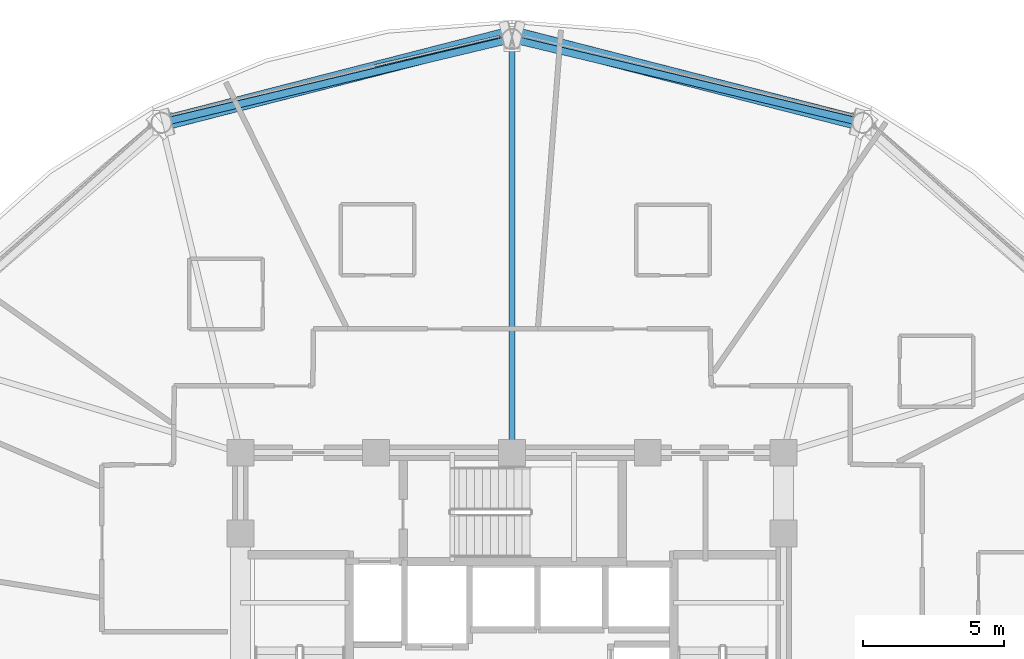
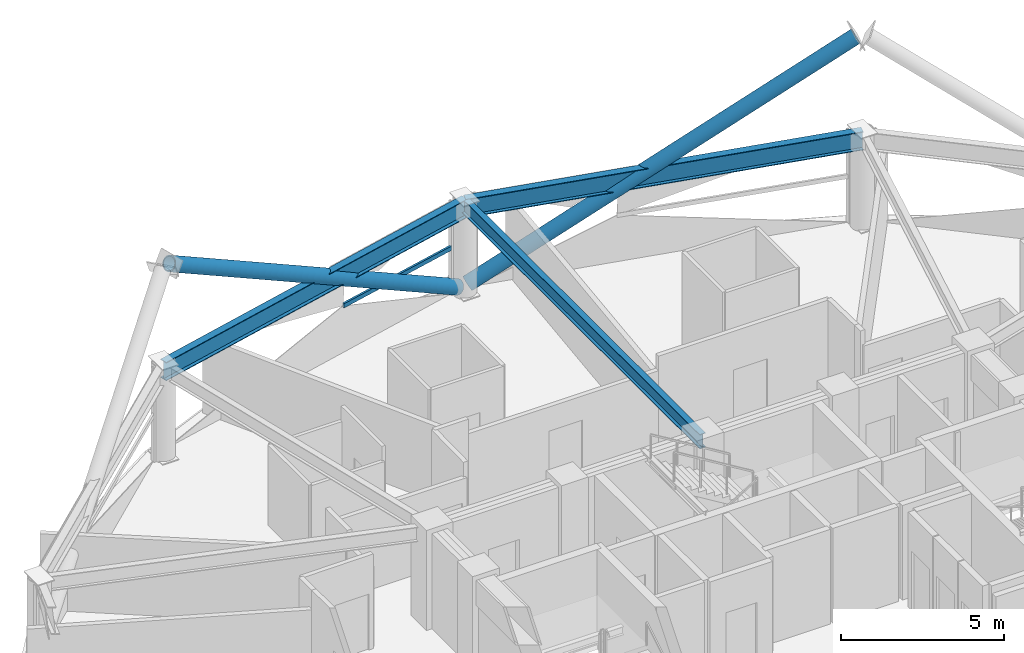
# One storey, part 15 of 29: 3 beams, 3 members, 1 element without a shape of its own.
"""IFC4 building model written with IfcOpenShell, lengths in metres."""

import ifcopenshell
import ifcopenshell.guid

model = None  # the IFC model being written
_history = None  # IfcOwnerHistory: only IFC2X3 demands one
_inside = {}  # id of a spatial element -> (the spatial element, [elements in it])
_under = {}  # id of a project, library or spatial element -> (it, [spatial elements below it])
_declared = {}  # id of a project -> (the project, [libraries it declares])
_typed = {}  # id of a type object -> (the type object, [elements of that type])
_made_of = {}  # id of a material, layer set ... -> (it, [elements and type objects made of it])


def new_model(schema):
    """Start an empty IFC model of exactly this schema.

    Asked for "IFC4X3", IfcOpenShell would pick the latest addendum, in which some entities
    have other attributes; the version numbers below select the first issue.
    IFC2X3 requires an IfcOwnerHistory on every rooted entity: one is made here for all.
    """
    global model, _history
    if schema == "IFC4X3":
        model = ifcopenshell.file(schema_version=(4, 3, 0, 0))
    else:
        model = ifcopenshell.file(schema=schema)
    _inside.clear()
    _under.clear()
    _declared.clear()
    _typed.clear()
    _made_of.clear()
    _history = None
    if model.schema == "IFC2X3":
        org = make("IfcOrganization", Name="unknown")
        user = make(
            "IfcPersonAndOrganization",
            ThePerson=make("IfcPerson", FamilyName="unknown"),
            TheOrganization=org,
        )
        app = make(
            "IfcApplication",
            ApplicationDeveloper=org,
            Version="unknown",
            ApplicationFullName="unknown",
            ApplicationIdentifier="unknown",
        )
        _history = make(
            "IfcOwnerHistory",
            OwningUser=user,
            OwningApplication=app,
            ChangeAction="ADDED",
            CreationDate=0,
        )
    return model


def make(cls, **values):
    """One entity of the class cls with the attributes given. An attribute that is None is left unset."""
    return model.create_entity(
        cls, **{name: value for name, value in values.items() if value is not None}
    )


def rooted(cls, **values):
    """An entity with a GlobalId (a new one), such as an element, a storey or a relation."""
    return make(cls, GlobalId=ifcopenshell.guid.new(), OwnerHistory=_history, **values)


def si_unit(unit_type, name, prefix=None):
    """IfcSIUnit, for example si_unit("LENGTHUNIT", "METRE", prefix="MILLI")."""
    return make("IfcSIUnit", UnitType=unit_type, Prefix=prefix, Name=name)


def assignment(units):
    """IfcUnitAssignment: the units of a project."""
    return None if units is None else make("IfcUnitAssignment", Units=units)


def point(xyz):
    """IfcCartesianPoint."""
    return None if xyz is None else make("IfcCartesianPoint", Coordinates=xyz)


def direction(xyz):
    """IfcDirection."""
    return None if xyz is None else make("IfcDirection", DirectionRatios=xyz)


def frame(location, z_axis=None, x_axis=None):
    """IfcAxis2Placement3D, a coordinate frame: its origin and axes. An axis left out is left unset."""
    return make(
        "IfcAxis2Placement3D",
        Location=point(location),
        Axis=direction(z_axis),
        RefDirection=direction(x_axis),
    )


def frame_2d(location, x_axis=None):
    """IfcAxis2Placement2D, a coordinate frame in the plane: its origin and x axis."""
    return make(
        "IfcAxis2Placement2D", Location=point(location), RefDirection=direction(x_axis)
    )


def origin():
    """The frame at (0, 0, 0) with its axes left unset."""
    return frame((0.0, 0.0, 0.0))


def origin_2d():
    """The frame at (0, 0) in the plane with its x axis left unset."""
    return frame_2d((0.0, 0.0))


def place(relative_to, where):
    """IfcLocalPlacement: puts the frame where relative to a parent placement (None: the world)."""
    return make(
        "IfcLocalPlacement", PlacementRelTo=relative_to, RelativePlacement=where
    )


def context(
    kind, dimensions, precision=None, world=None, true_north=None, identifier=None
):
    """IfcGeometricRepresentationContext, for example the 3D "Model" context."""
    return make(
        "IfcGeometricRepresentationContext",
        ContextIdentifier=identifier,
        ContextType=kind,
        CoordinateSpaceDimension=dimensions,
        Precision=precision,
        WorldCoordinateSystem=world,
        TrueNorth=true_north,
    )


def subcontext(parent, identifier, kind, view, scale=None):
    """IfcGeometricRepresentationSubContext, for example "Body" below "Model"."""
    return make(
        "IfcGeometricRepresentationSubContext",
        ContextIdentifier=identifier,
        ContextType=kind,
        ParentContext=parent,
        TargetScale=scale,
        TargetView=view,
    )


def project(units=None, contexts=None):
    """IfcProject with its units and contexts."""
    return rooted(
        "IfcProject",
        Name="project",
        RepresentationContexts=contexts,
        UnitsInContext=assignment(units),
    )


def spatial(cls, under=None, at=None, **own):
    """A site, building, storey or space (cls), placed at a placement, below another one or the project."""
    s = rooted(cls, ObjectPlacement=at, **own)
    if under is not None:
        _under.setdefault(under.id(), (under, []))[1].append(s)
    return s


def profile(cls, at=None, kind="AREA", **sizes):
    """A parametric profile (cls). Its sizes go by their IFC names, for example OverallWidth=200.0."""
    return make(cls, ProfileType=kind, Position=at, **sizes)


def hollow_rectangle(**sizes):
    """IfcRectangleHollowProfileDef."""
    return profile("IfcRectangleHollowProfileDef", **sizes)


def hollow_circle(**sizes):
    """IfcCircleHollowProfileDef."""
    return profile("IfcCircleHollowProfileDef", **sizes)


def i_section(**sizes):
    """IfcIShapeProfileDef."""
    return profile("IfcIShapeProfileDef", **sizes)


def extrude(swept, where, along, depth):
    """IfcExtrudedAreaSolid: the profile swept, set in the frame where, extruded along a direction by depth."""
    return make(
        "IfcExtrudedAreaSolid",
        SweptArea=swept,
        Position=where,
        ExtrudedDirection=direction(along),
        Depth=depth,
    )


def shape(context_of_items, identifier, shape_type, items):
    """IfcShapeRepresentation: the items that make up one representation, for example the "Body"."""
    return make(
        "IfcShapeRepresentation",
        ContextOfItems=context_of_items,
        RepresentationIdentifier=identifier,
        RepresentationType=shape_type,
        Items=items,
    )


def material(Name=None, Category=None):
    """IfcMaterial."""
    return make("IfcMaterial", Name=Name, Category=Category)


def layer(
    of_material, thickness, ventilated=None, Name=None, Category=None, Priority=None
):
    """IfcMaterialLayer: one layer of a wall or slab, of a material (None: an air gap)."""
    return make(
        "IfcMaterialLayer",
        Material=of_material,
        LayerThickness=thickness,
        IsVentilated=ventilated,
        Name=Name,
        Category=Category,
        Priority=Priority,
    )


def layer_set(layers, Name=None):
    """IfcMaterialLayerSet."""
    return make("IfcMaterialLayerSet", MaterialLayers=layers, LayerSetName=Name)


def material_profile(
    of_material, cross_section, Name=None, Category=None, Priority=None
):
    """IfcMaterialProfile: a cross section and its material."""
    return make(
        "IfcMaterialProfile",
        Name=Name,
        Material=of_material,
        Profile=cross_section,
        Priority=Priority,
        Category=Category,
    )


def profile_set(profiles, Name=None, composite=None):
    """IfcMaterialProfileSet."""
    return make(
        "IfcMaterialProfileSet",
        Name=Name,
        MaterialProfiles=profiles,
        CompositeProfile=composite,
    )


def made_of(thing, what):
    """Note that an element or type object is made of a material, layer set ...; save() writes the relation."""
    if what is not None:
        _made_of.setdefault(what.id(), (what, []))[1].append(thing)
    return thing


def type_object(cls, material=None, **own):
    """A type object (cls), such as IfcWallType, which elements share."""
    return made_of(rooted(cls, **own), material)


def element(
    cls,
    number,
    at=None,
    inside=None,
    cuts=None,
    type_object=None,
    material=None,
    context=None,
    identifier="Body",
    shape_type=None,
    held_by="IfcProductDefinitionShape",
    body=None,
    shapes=None,
    **own,
):
    """One element of the class cls, such as IfcWall. Its Tag is "e" and its number.

    at: its placement. inside: the storey or other place that contains it. cuts: it is an
    opening in that element (IfcRelVoidsElement). A single representation is given by context,
    identifier, shape_type and body (its items); several are given by shapes. held_by: the class
    of the entity that holds the representations. save() writes the other relations.
    """
    e = rooted(cls, Tag="e%d" % number, ObjectPlacement=at, **own)
    if body is not None:
        shapes = [shape(context, identifier, shape_type, body)]
    if shapes is not None:
        e.Representation = make(held_by, Representations=shapes)
    if inside is not None:
        _inside.setdefault(inside.id(), (inside, []))[1].append(e)
    if cuts is not None:
        rooted(
            "IfcRelVoidsElement", RelatingBuildingElement=cuts, RelatedOpeningElement=e
        )
    if type_object is not None:
        _typed.setdefault(type_object.id(), (type_object, []))[1].append(e)
    return made_of(e, material)


def aggregate(whole, parts):
    """IfcRelAggregates: a whole, such as a stair, and the parts it consists of."""
    return rooted("IfcRelAggregates", RelatingObject=whole, RelatedObjects=parts)


def save(model, path):
    """Write the relations noted so far, then the file.

    IfcRelAggregates (storeys below a building ...), IfcRelContainedInSpatialStructure (elements
    in a storey), IfcRelDefinesByType, IfcRelAssociatesMaterial and IfcRelDeclares: one each for
    every whole, place, type object, material and project.
    """
    for whole, parts in _under.values():
        aggregate(whole, parts)
    for where, things in _inside.values():
        rooted(
            "IfcRelContainedInSpatialStructure",
            RelatedElements=things,
            RelatingStructure=where,
        )
    for kind, things in _typed.values():
        rooted("IfcRelDefinesByType", RelatedObjects=things, RelatingType=kind)
    for what, things in _made_of.values():
        rooted("IfcRelAssociatesMaterial", RelatedObjects=things, RelatingMaterial=what)
    for by, libraries in _declared.values():
        rooted("IfcRelDeclares", RelatingContext=by, RelatedDefinitions=libraries)
    model.write(path)


model = new_model("IFC4")

# Units and contexts
model_context = context("Model", 3, precision=1e-05, world=origin(), true_north=direction((0.0, 1.0)))
body_context = subcontext(model_context, "Body", "Model", "MODEL_VIEW")
ifc_project = project(units=[si_unit("LENGTHUNIT", "METRE"), si_unit("AREAUNIT", "SQUARE_METRE"), si_unit("VOLUMEUNIT", "CUBIC_METRE"), si_unit("PLANEANGLEUNIT", "RADIAN"), si_unit("MASSUNIT", "GRAM", prefix="KILO")], contexts=[model_context])

# Site, building, storey
site_placement = place(None, origin())
site = spatial("IfcSite", under=ifc_project, at=site_placement, CompositionType="ELEMENT")
building_placement = place(site_placement, origin())
building = spatial("IfcBuilding", under=site, at=building_placement, Name="Vantalir Tower", CompositionType="ELEMENT")
storey_placement = place(building_placement, frame((0.0, 0.0, 157.199951171875)))
storey = spatial("IfcBuildingStorey", under=building, at=storey_placement, Name="L39", CompositionType="ELEMENT", Elevation=157.199951171875)

# Beams
ifc_material_1 = material(Name="Steel S355", Category="steel")
ifc_material_profile_1 = material_profile(ifc_material_1, i_section(OverallWidth=0.2109375, OverallDepth=0.5390625, WebThickness=0.01171875, FlangeThickness=0.018798828125, at=origin_2d()), Name="Steel S355")
ifc_profile_set_1 = profile_set([ifc_material_profile_1], Name="Steel S355")
beam_type_1 = type_object("IfcBeamType", Name="BM-RB-533x210", PredefinedType="BEAM", material=ifc_profile_set_1)
beam_1_placement = place(storey_placement, frame((31.5, 47.069091796875, 3.301025390625), z_axis=(0.0, -1.0, 0.0), x_axis=(1.0, 0.0, 0.0)))
element("IfcBeam", 1, at=beam_1_placement, inside=storey, type_object=beam_type_1, Name="L39 Radial Floor Beam 04", PredefinedType="BEAM", context=body_context, shape_type="SweptSolid", body=[
    extrude(i_section(OverallWidth=0.2109375, OverallDepth=0.5390625, WebThickness=0.01171875, FlangeThickness=0.018798828125, at=origin_2d()), origin(), (0.0, 0.0, 1.0), 14.619140625),
])
ifc_material_2 = material(Name="Steel S460", Category="steel")
ifc_material_profile_2 = material_profile(ifc_material_2, i_section(OverallWidth=0.256103515625, OverallDepth=0.693115234375, WebThickness=0.014404296875, FlangeThickness=0.023681640625, at=origin_2d()), Name="Steel S460")
ifc_profile_set_2 = profile_set([ifc_material_profile_2], Name="Steel S460")
beam_type_2 = type_object("IfcBeamType", Name="BM-RG-686x254", PredefinedType="USERDEFINED", material=ifc_profile_set_2)
beam_2_placement = place(storey_placement, frame((43.89208984375, 44.112060546875, 3.22412109375), z_axis=(-0.972690538126, 0.232105831549, 0.0), x_axis=(-0.232105831549, -0.972690538126, 0.0)))
element("IfcBeam", 2, at=beam_2_placement, inside=storey, type_object=beam_type_2, Name="L39 Circumferential Ring Girder 03", ObjectType="GIRDER", PredefinedType="USERDEFINED", context=body_context, shape_type="SweptSolid", body=[
    extrude(i_section(OverallWidth=0.256103515625, OverallDepth=0.693115234375, WebThickness=0.014404296875, FlangeThickness=0.023681640625, at=origin_2d()), origin(), (0.0, 0.0, 1.0), 12.739990234375),
])
beam_3_placement = place(storey_placement, frame((31.5, 47.069091796875, 3.22412109375), z_axis=(-0.972686408119, -0.232123138573, 0.0), x_axis=(0.232123138573, -0.972686408119, 0.0)))
element("IfcBeam", 3, at=beam_3_placement, inside=storey, type_object=beam_type_2, Name="L39 Circumferential Ring Girder 04", ObjectType="GIRDER", PredefinedType="USERDEFINED", context=body_context, shape_type="SweptSolid", body=[
    extrude(i_section(OverallWidth=0.256103515625, OverallDepth=0.693115234375, WebThickness=0.014404296875, FlangeThickness=0.023681640625, at=origin_2d()), origin(), (0.0, 0.0, 1.0), 12.739013671875),
])

# Curtain wall, member
ifc_material_3 = material(Name="Champagne-silver PVDF aluminium and double-silver Low-E glass", Category="aluminium")
ifc_layer = layer(ifc_material_3, 0.199951171875)
ifc_layer_set = layer_set([ifc_layer], Name="Champagne-silver PVDF aluminium and double-silver Low-E glass")
curtain_wall_type = type_object("IfcCurtainWallType", Name="CW-DIAMOND-Z2", PredefinedType="USERDEFINED", material=ifc_layer_set)
curtain_wall_placement = place(storey_placement, origin())
curtain_wall = element("IfcCurtainWall", 4, at=curtain_wall_placement, inside=storey, type_object=curtain_wall_type, Name="L39 Quilted Pyramid-Diamond Curtain Wall S04", ObjectType="UNITISED CURTAIN WALL", PredefinedType="USERDEFINED")
ifc_material_4 = material(Name="Champagne-silver PVDF aluminium 6063-T6", Category="aluminium")
ifc_material_profile_3 = material_profile(ifc_material_4, hollow_rectangle(XDim=0.074951171875, YDim=0.159912109375, WallThickness=0.00390625, at=origin_2d()), Name="Champagne-silver PVDF aluminium 6063-T6")
ifc_profile_set_3 = profile_set([ifc_material_profile_3], Name="Champagne-silver PVDF aluminium 6063-T6")
member_type_1 = type_object("IfcMemberType", Name="CWT-160x75", PredefinedType="USERDEFINED", material=ifc_profile_set_3)
member_placement = place(storey_placement, frame((31.072021484375, 47.156982421875, 1.78515625), z_axis=(-0.973866964726, -0.227119208822, 0.0), x_axis=(0.227119208822, -0.973866964726, 0.0)))
member = element("IfcMember", 5, at=member_placement, type_object=member_type_1, Name="CW-L39-S04 Pyramid Fold Ridge Transom", ObjectType="TRANSOM", PredefinedType="USERDEFINED", context=body_context, shape_type="SweptSolid", body=[
    extrude(hollow_rectangle(XDim=0.074951171875, YDim=0.159912109375, WallThickness=0.00390625, at=origin_2d()), origin(), (0.0, 0.0, 1.0), 4.543701171875),
])
aggregate(curtain_wall, [member])

# Members
ifc_material_profile_4 = material_profile(ifc_material_2, hollow_circle(Radius=0.260009765625, WallThickness=0.0380859375, at=origin_2d()), Name="Steel S460")
ifc_profile_set_4 = profile_set([ifc_material_profile_4], Name="Steel S460")
member_type_2 = type_object("IfcMemberType", Name="MEM-DB-520x38", PredefinedType="BRACE", material=ifc_profile_set_4)
for number, where, z_axis, x_axis, name in (
    (6, (31.31396484375, 47.2109375, 0.18798828125), (-0.844775699941, -0.216839809613, 0.489218268012), (0.248623491781, -0.96860020614, 0.0), "L39 Perimeter S460 Diagrid Brace R10L"),
    (7, (31.68603515625, 47.2109375, 0.18798828125), (0.844775699941, -0.216839809613, 0.489218268012), (0.248623491781, 0.96860020614, 0.0), "L39 Perimeter S460 Diagrid Brace R10R"),
):
    element("IfcMember", number, at=place(storey_placement, frame(where, z_axis=z_axis, x_axis=x_axis)), inside=storey, type_object=member_type_2, Name=name, PredefinedType="BRACE", context=body_context, shape_type="SweptSolid", body=[
        extrude(hollow_circle(Radius=0.260009765625, WallThickness=0.0380859375, at=origin_2d()), origin(), (0.0, 0.0, 1.0), 14.1943359375),
    ])

save(model, "model.ifc")
